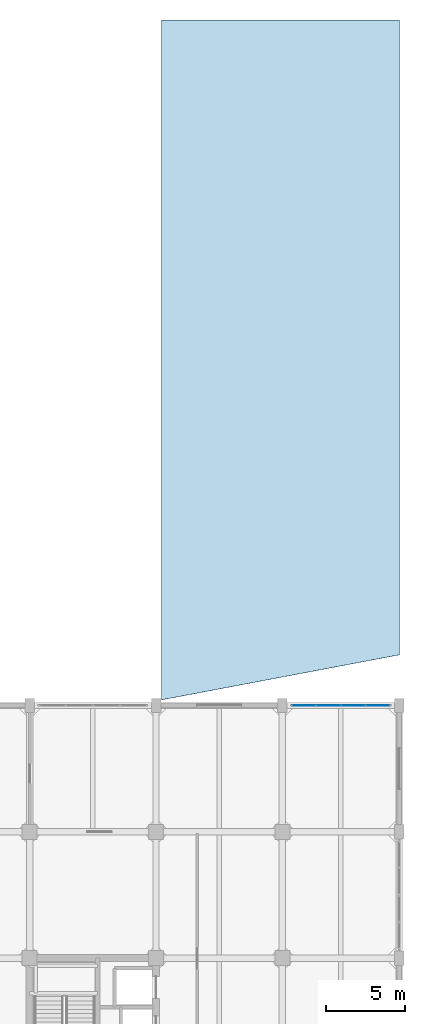
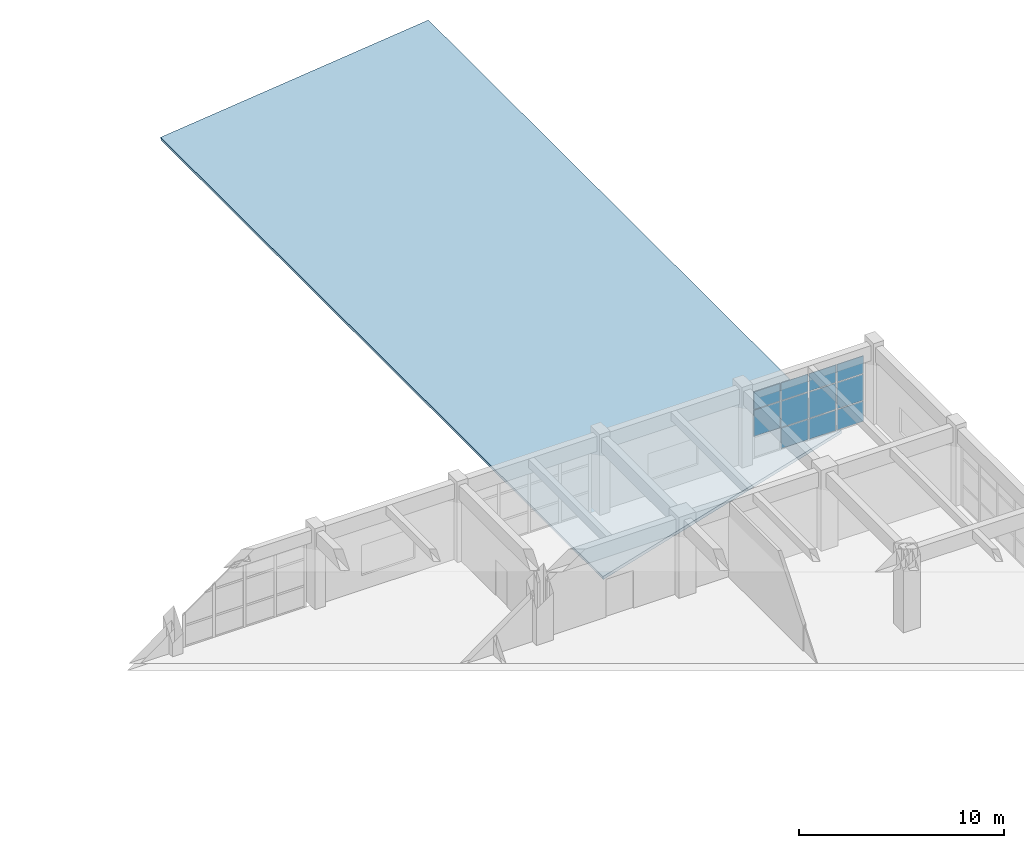
# One storey, part 46 of 63: 11 plates, 1 slab, 1 element without a shape of its own.
"""IFC4 building model written with IfcOpenShell, lengths in metres."""

from ifc_helpers import new_model, si_unit, direction, frame, origin, origin_2d, place, context, subcontext, project, spatial, polyline, rectangle, outline, extrude, material, layer, layer_set, type_object, element, aggregate, save


model = new_model("IFC4")

# Units and contexts
model_context = context("Model", 3, precision=1e-05, world=origin(), true_north=direction((0.0, 1.0)))
body_context = subcontext(model_context, "Body", "Model", "MODEL_VIEW")
ifc_project = project(units=[si_unit("LENGTHUNIT", "METRE"), si_unit("AREAUNIT", "SQUARE_METRE"), si_unit("VOLUMEUNIT", "CUBIC_METRE"), si_unit("PLANEANGLEUNIT", "RADIAN"), si_unit("MASSUNIT", "GRAM", prefix="KILO")], contexts=[model_context])

# Site, building, storey
site_placement = place(None, origin())
site = spatial("IfcSite", under=ifc_project, at=site_placement, CompositionType="ELEMENT")
building_placement = place(site_placement, origin())
building = spatial("IfcBuilding", under=site, at=building_placement, Name="Canggui Botanical Conservatory", CompositionType="ELEMENT")
storey_placement = place(building_placement, frame((0.0, 0.0, 10.199951171875)))
storey = spatial("IfcBuildingStorey", under=building, at=storey_placement, Name="L03", CompositionType="ELEMENT", Elevation=10.199951171875)

# Curtain wall, plates
ifc_material_1 = material(Name="Thermally Broken Aluminium", Category="aluminium")
ifc_layer_1 = layer(ifc_material_1, 0.14990234375, Name="Thermally Broken Aluminium", Category="aluminium")
ifc_layer_set_1 = layer_set([ifc_layer_1], Name="Thermally Broken Aluminium")
curtain_wall_type = type_object("IfcCurtainWallType", Name="CW-UNIT-C", PredefinedType="USERDEFINED", material=ifc_layer_set_1)
curtain_wall_placement = place(storey_placement, origin())
curtain_wall = element("IfcCurtainWall", 1, at=curtain_wall_placement, inside=storey, type_object=curtain_wall_type, Name="Facade Curtain Wall CW-TWR-L03-19", ObjectType="UNITISED CURTAIN WALL", PredefinedType="USERDEFINED")
ifc_material_2 = material(Name="Low-E Insulated Glass", Category="glass")
ifc_layer_2 = layer(ifc_material_2, 0.033935546875, Name="Low-E Insulated Glass", Category="glass")
ifc_layer_set_2 = layer_set([ifc_layer_2], Name="Low-E Insulated Glass")
plate_type = type_object("IfcPlateType", Name="CWP-03", PredefinedType="CURTAIN_PANEL", material=ifc_layer_set_2)
plate_1_placement = place(storey_placement, frame((171.360107421875, 82.0, 1.3076171875), z_axis=(0.0, 0.0, 1.0), x_axis=(1.0, 0.0, 0.0)))
plate_1 = element("IfcPlate", 2, at=plate_1_placement, type_object=plate_type, Name="CW-03 panel 1.2", PredefinedType="CURTAIN_PANEL", context=body_context, shape_type="SweptSolid", body=[
    extrude(rectangle(XDim=1.47998046875, YDim=0.033935546875, at=origin_2d()), origin(), (0.0, 0.0, 1.0), 1.544921875),
])
plate_2_placement = place(storey_placement, frame((171.360107421875, 82.0, 2.907470703125), z_axis=(0.0, 0.0, 1.0), x_axis=(1.0, 0.0, 0.0)))
plate_2 = element("IfcPlate", 3, at=plate_2_placement, type_object=plate_type, Name="CW-03 panel 1.3", PredefinedType="CURTAIN_PANEL", context=body_context, shape_type="SweptSolid", body=[
    extrude(rectangle(XDim=1.47998046875, YDim=0.033935546875, at=origin_2d()), origin(), (0.0, 0.0, 1.0), 1.03759765625),
])
plate_3_placement = place(storey_placement, frame((172.9150390625, 82.0, 0.05517578125), z_axis=(0.0, 0.0, 1.0), x_axis=(1.0, 0.0, 0.0)))
plate_3 = element("IfcPlate", 4, at=plate_3_placement, type_object=plate_type, Name="CW-03 panel 2.1", PredefinedType="CURTAIN_PANEL", context=body_context, shape_type="SweptSolid", body=[
    extrude(rectangle(XDim=1.510009765625, YDim=0.033935546875, at=origin_2d()), origin(), (0.0, 0.0, 1.0), 1.197509765625),
])
plate_4_placement = place(storey_placement, frame((172.9150390625, 82.0, 1.3076171875), z_axis=(0.0, 0.0, 1.0), x_axis=(1.0, 0.0, 0.0)))
plate_4 = element("IfcPlate", 5, at=plate_4_placement, type_object=plate_type, Name="CW-03 panel 2.2", PredefinedType="CURTAIN_PANEL", context=body_context, shape_type="SweptSolid", body=[
    extrude(rectangle(XDim=1.510009765625, YDim=0.033935546875, at=origin_2d()), origin(), (0.0, 0.0, 1.0), 1.544921875),
])
plate_5_placement = place(storey_placement, frame((172.9150390625, 82.0, 2.907470703125), z_axis=(0.0, 0.0, 1.0), x_axis=(1.0, 0.0, 0.0)))
plate_5 = element("IfcPlate", 6, at=plate_5_placement, type_object=plate_type, Name="CW-03 panel 2.3", PredefinedType="CURTAIN_PANEL", context=body_context, shape_type="SweptSolid", body=[
    extrude(rectangle(XDim=1.510009765625, YDim=0.033935546875, at=origin_2d()), origin(), (0.0, 0.0, 1.0), 1.03759765625),
])
plate_6_placement = place(storey_placement, frame((174.485107421875, 82.0, 0.05517578125), z_axis=(0.0, 0.0, 1.0), x_axis=(1.0, 0.0, 0.0)))
plate_6 = element("IfcPlate", 7, at=plate_6_placement, type_object=plate_type, Name="CW-03 panel 3.1", PredefinedType="CURTAIN_PANEL", context=body_context, shape_type="SweptSolid", body=[
    extrude(rectangle(XDim=1.510009765625, YDim=0.033935546875, at=origin_2d()), origin(), (0.0, 0.0, 1.0), 1.197509765625),
])
plate_7_placement = place(storey_placement, frame((174.485107421875, 82.0, 1.3076171875), z_axis=(0.0, 0.0, 1.0), x_axis=(1.0, 0.0, 0.0)))
plate_7 = element("IfcPlate", 8, at=plate_7_placement, type_object=plate_type, Name="CW-03 panel 3.2", PredefinedType="CURTAIN_PANEL", context=body_context, shape_type="SweptSolid", body=[
    extrude(rectangle(XDim=1.510009765625, YDim=0.033935546875, at=origin_2d()), origin(), (0.0, 0.0, 1.0), 1.544921875),
])
plate_8_placement = place(storey_placement, frame((174.485107421875, 82.0, 2.907470703125), z_axis=(0.0, 0.0, 1.0), x_axis=(1.0, 0.0, 0.0)))
plate_8 = element("IfcPlate", 9, at=plate_8_placement, type_object=plate_type, Name="CW-03 panel 3.3", PredefinedType="CURTAIN_PANEL", context=body_context, shape_type="SweptSolid", body=[
    extrude(rectangle(XDim=1.510009765625, YDim=0.033935546875, at=origin_2d()), origin(), (0.0, 0.0, 1.0), 1.03759765625),
])
plate_9_placement = place(storey_placement, frame((176.0400390625, 82.0, 0.05517578125), z_axis=(0.0, 0.0, 1.0), x_axis=(1.0, 0.0, 0.0)))
plate_9 = element("IfcPlate", 10, at=plate_9_placement, type_object=plate_type, Name="CW-03 panel 4.1", PredefinedType="CURTAIN_PANEL", context=body_context, shape_type="SweptSolid", body=[
    extrude(rectangle(XDim=1.47998046875, YDim=0.033935546875, at=origin_2d()), origin(), (0.0, 0.0, 1.0), 1.197509765625),
])
plate_10_placement = place(storey_placement, frame((176.0400390625, 82.0, 1.3076171875), z_axis=(0.0, 0.0, 1.0), x_axis=(1.0, 0.0, 0.0)))
plate_10 = element("IfcPlate", 11, at=plate_10_placement, type_object=plate_type, Name="CW-03 panel 4.2", PredefinedType="CURTAIN_PANEL", context=body_context, shape_type="SweptSolid", body=[
    extrude(rectangle(XDim=1.47998046875, YDim=0.033935546875, at=origin_2d()), origin(), (0.0, 0.0, 1.0), 1.544921875),
])
plate_11_placement = place(storey_placement, frame((176.0400390625, 82.0, 2.907470703125), z_axis=(0.0, 0.0, 1.0), x_axis=(1.0, 0.0, 0.0)))
plate_11 = element("IfcPlate", 12, at=plate_11_placement, type_object=plate_type, Name="CW-03 panel 4.3", PredefinedType="CURTAIN_PANEL", context=body_context, shape_type="SweptSolid", body=[
    extrude(rectangle(XDim=1.47998046875, YDim=0.033935546875, at=origin_2d()), origin(), (0.0, 0.0, 1.0), 1.03759765625),
])
aggregate(curtain_wall, [plate_1, plate_2, plate_3, plate_4, plate_5, plate_6, plate_7, plate_8, plate_9, plate_10, plate_11])

# Slab
ifc_material_3 = material(Name="Concrete C35", Category="concrete")
ifc_layer_3 = layer(ifc_material_3, 0.179931640625, Name="Concrete C35", Category="concrete")
ifc_layer_set_3 = layer_set([ifc_layer_3], Name="Concrete C35")
slab_type = type_object("IfcSlabType", Name="SLAB-R180", PredefinedType="ROOF", material=ifc_layer_set_3)
slab_placement = place(storey_placement, frame((162.35009765625, 82.35009765625, -4.349853515625), z_axis=(-0.11224126746, 0.0, 0.993680983958), x_axis=(0.976543587677, 0.18491975373, 0.110305512313)))
element("IfcSlab", 13, at=slab_placement, inside=storey, type_object=slab_type, Name="North-East Logistics Wing Pitched Concrete Roof Slab", PredefinedType="ROOF", context=body_context, shape_type="SweptSolid", body=[
    extrude(outline(polyline([(0.0, 0.0), (15.41129845857176, -2.0816681711721685e-16), (22.845063529249554, 39.50664768232183), (7.9607592809549255, 42.30735155150446), (0.0, 0.0)])), origin(), (0.0, 0.0, -1.0), 0.179931640625),
])

save(model, "model.ifc")
